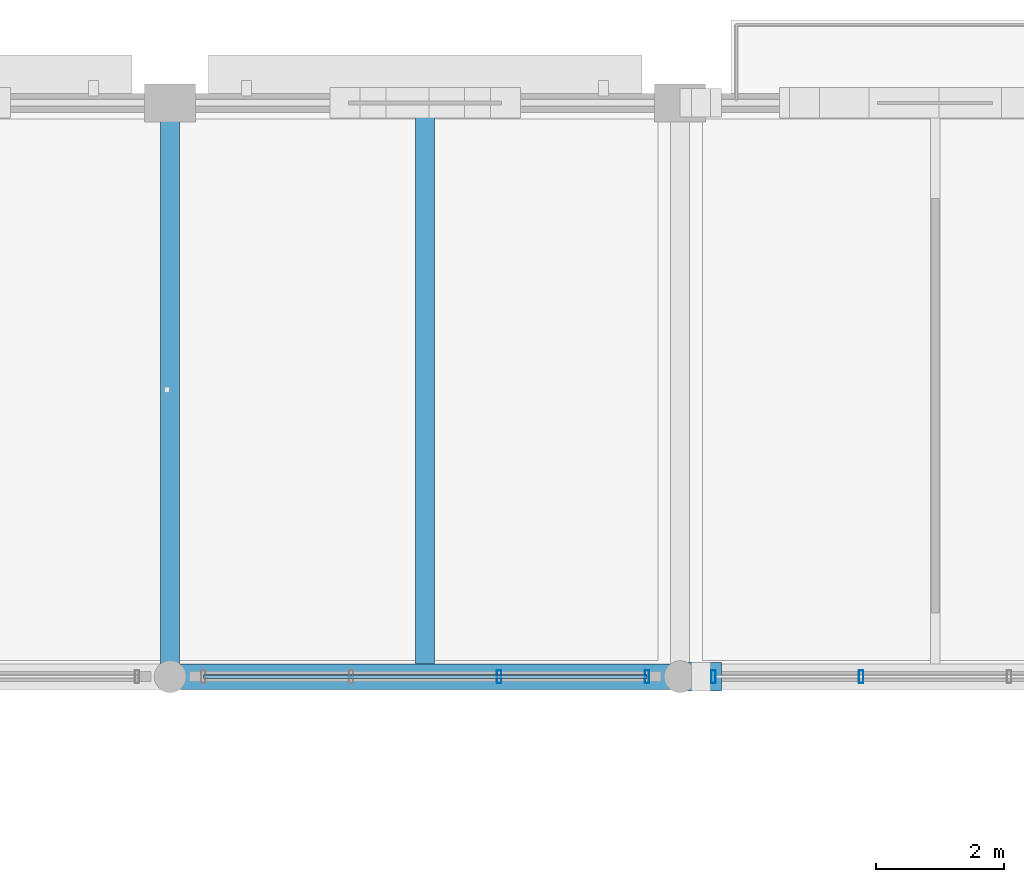
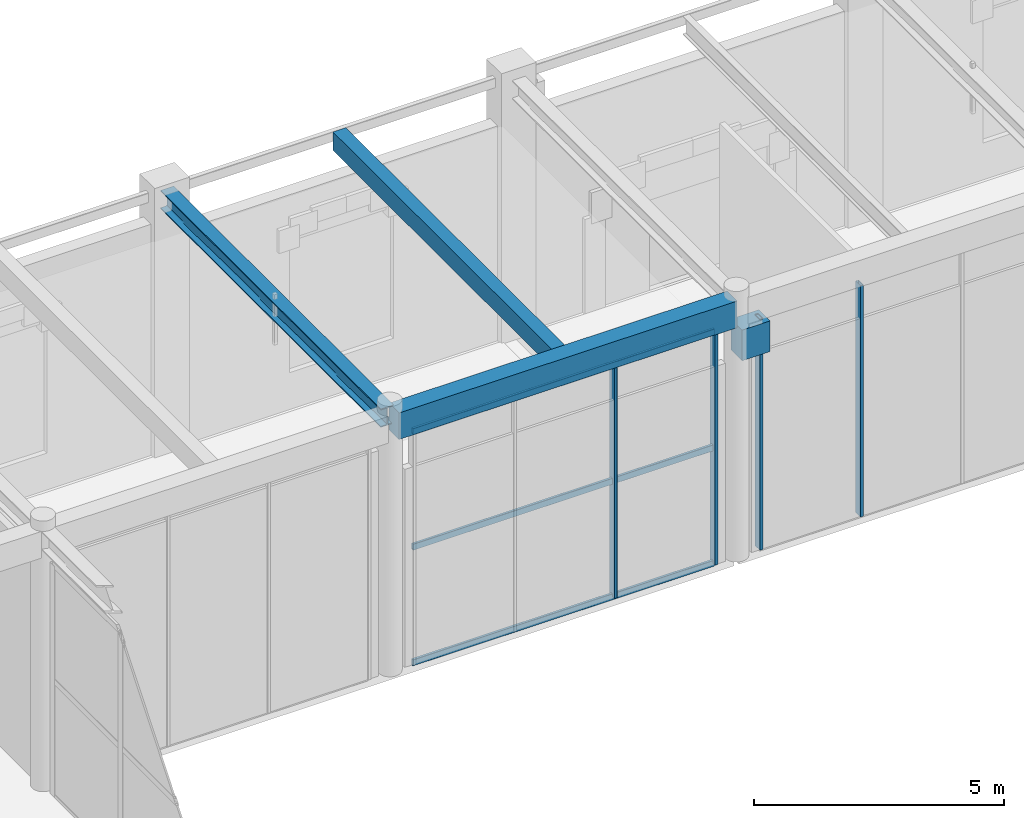
# One storey, part 74 of 163: 7 members, 4 beams, 2 elements without a shape of their own.
"""IFC4 building model written with IfcOpenShell, lengths in metres."""

from ifc_helpers import new_model, si_unit, direction, frame, origin, origin_2d, place, context, subcontext, project, spatial, rectangle, hollow_rectangle, i_section, extrude, material, material_profile, profile_set, type_object, element, aggregate, save


model = new_model("IFC4")

# Units and contexts
model_context = context("Model", 3, precision=1e-05, world=origin(), true_north=direction((0.0, 1.0)))
body_context = subcontext(model_context, "Body", "Model", "MODEL_VIEW")
ifc_project = project(units=[si_unit("LENGTHUNIT", "METRE"), si_unit("AREAUNIT", "SQUARE_METRE"), si_unit("VOLUMEUNIT", "CUBIC_METRE"), si_unit("PLANEANGLEUNIT", "RADIAN"), si_unit("MASSUNIT", "GRAM", prefix="KILO")], contexts=[model_context])

# Site, building, storey
site_placement = place(None, origin())
site = spatial("IfcSite", under=ifc_project, at=site_placement, CompositionType="ELEMENT")
building_placement = place(site_placement, origin())
building = spatial("IfcBuilding", under=site, at=building_placement, Name="Varnabhumi Central Station", CompositionType="ELEMENT")
storey_placement = place(building_placement, frame((0.0, 0.0, 9.60009765625)))
storey = spatial("IfcBuildingStorey", under=building, at=storey_placement, Name="L02", CompositionType="ELEMENT", Elevation=9.60009765625)

# Beams
ifc_material_1 = material(Name="Concrete M40", Category="concrete")
ifc_material_profile_1 = material_profile(ifc_material_1, rectangle(XDim=0.300048828125, YDim=0.449951171875, at=origin_2d()), Name="Concrete M40", Category="concrete")
ifc_profile_set_1 = profile_set([ifc_material_profile_1], Name="Concrete M40")
beam_type_1 = type_object("IfcBeamType", Name="BM-RC-300x450", PredefinedType="JOIST", material=ifc_profile_set_1)
beam_1_placement = place(storey_placement, frame((60.0, 107.199951171875, 6.125), z_axis=(0.0, 1.0, 0.0), x_axis=(-1.0, 0.0, 0.0)))
element("IfcBeam", 1, at=beam_1_placement, inside=storey, type_object=beam_type_1, Name="Secondary Joist L02-8/9:N-P", PredefinedType="JOIST", context=body_context, shape_type="SweptSolid", body=[
    extrude(rectangle(XDim=0.300048828125, YDim=0.449951171875, at=origin_2d()), origin(), (0.0, 0.0, 1.0), 8.739990234375),
])
ifc_material_profile_2 = material_profile(ifc_material_1, rectangle(XDim=0.39990234375, YDim=0.64990234375, at=origin_2d()), Name="Concrete M40", Category="concrete")
ifc_profile_set_2 = profile_set([ifc_material_profile_2], Name="Concrete M40")
beam_type_2 = type_object("IfcBeamType", Name="BM-RC-400x650", PredefinedType="BEAM", material=ifc_profile_set_2)
beam_2_placement = place(storey_placement, frame((56.10009765625, 107.0, 6.02490234375), z_axis=(1.0, 0.0, 0.0), x_axis=(0.0, 1.0, 0.0)))
element("IfcBeam", 2, at=beam_2_placement, inside=storey, type_object=beam_type_2, Name="Beam L02-N:8-9", PredefinedType="BEAM", context=body_context, shape_type="SweptSolid", body=[
    extrude(rectangle(XDim=0.39990234375, YDim=0.64990234375, at=origin_2d()), origin(), (0.0, 0.0, 1.0), 7.7998046875),
])
ifc_material_profile_3 = material_profile(ifc_material_1, rectangle(XDim=0.449951171875, YDim=0.75, at=origin_2d()), Name="Concrete M40", Category="concrete")
ifc_profile_set_3 = profile_set([ifc_material_profile_3], Name="Concrete M40")
beam_type_3 = type_object("IfcBeamType", Name="BM-RC-450x750", PredefinedType="BEAM", material=ifc_profile_set_3)
beam_3_placement = place(storey_placement, frame((64.0, 107.0, 5.244873046875), z_axis=(1.0, 0.0, 0.0), x_axis=(0.0, 1.0, 0.0)))
element("IfcBeam", 3, at=beam_3_placement, inside=storey, type_object=beam_type_3, Name="Movement Joint 650mm Corbel Seat L02-N-9", PredefinedType="BEAM", context=body_context, shape_type="SweptSolid", body=[
    extrude(rectangle(XDim=0.449951171875, YDim=0.75, at=origin_2d()), origin(), (0.0, 0.0, 1.0), 0.64990234375),
])
ifc_material_2 = material(Name="Structural steel E350", Category="steel")
ifc_material_profile_4 = material_profile(ifc_material_2, i_section(OverallWidth=0.300048828125, OverallDepth=0.449951171875, WebThickness=0.013916015625, FlangeThickness=0.02587890625, FilletRadius=0.027099609375, at=origin_2d()), Name="Structural steel E350", Category="steel")
ifc_profile_set_4 = profile_set([ifc_material_profile_4], Name="Structural steel E350")
beam_type_4 = type_object("IfcBeamType", Name="BM-STL-WPB450", PredefinedType="BEAM", material=ifc_profile_set_4)
beam_4_placement = place(storey_placement, frame((56.0, 107.10009765625, 6.125), z_axis=(0.0, 1.0, 0.0), x_axis=(-1.0, 0.0, 0.0)))
element("IfcBeam", 4, at=beam_4_placement, inside=storey, type_object=beam_type_4, Name="Beam L02-8:N-P", PredefinedType="BEAM", context=body_context, shape_type="SweptSolid", body=[
    extrude(i_section(OverallWidth=0.300048828125, OverallDepth=0.449951171875, WebThickness=0.013916015625, FlangeThickness=0.02587890625, FilletRadius=0.027099609375, at=origin_2d()), origin(), (0.0, 0.0, 1.0), 8.7998046875),
])

# Curtain wall, members
ifc_material_3 = material(Name="Anodised aluminium 6063-T6", Category="aluminium")
curtain_wall_type = type_object("IfcCurtainWallType", Name="CW-PATIO-LOGGIA-L2", PredefinedType="NOTDEFINED", material=ifc_material_3)
curtain_wall_1_placement = place(storey_placement, origin())
curtain_wall_1 = element("IfcCurtainWall", 5, at=curtain_wall_1_placement, inside=storey, type_object=curtain_wall_type, Name="Curtain Wall CW-NP2N2", PredefinedType="NOTDEFINED")
ifc_material_profile_5 = material_profile(ifc_material_3, hollow_rectangle(XDim=0.070068359375, YDim=0.199951171875, WallThickness=0.00439453125, InnerFilletRadius=0.00146484375, OuterFilletRadius=0.006103515625, at=origin_2d()), Name="Anodised aluminium 6063-T6", Category="aluminium")
ifc_profile_set_5 = profile_set([ifc_material_profile_5], Name="Anodised aluminium 6063-T6")
member_type_1 = type_object("IfcMemberType", Name="CW-MUL-200", PredefinedType="MULLION", material=ifc_profile_set_5)
member_1_placement = place(storey_placement, frame((61.159912109375, 107.0, 0.0), z_axis=(0.0, 0.0, 1.0), x_axis=(1.0, 0.0, 0.0)))
member_1 = element("IfcMember", 6, at=member_1_placement, type_object=member_type_1, Name="Curtain Wall Mullion CW-NP2N2-M3", PredefinedType="MULLION", context=body_context, shape_type="SweptSolid", body=[
    extrude(hollow_rectangle(XDim=0.070068359375, YDim=0.199951171875, WallThickness=0.00439453125, InnerFilletRadius=0.00146484375, OuterFilletRadius=0.006103515625, at=origin_2d()), origin(), (0.0, 0.0, 1.0), 5.639892578125),
])
member_2_placement = place(storey_placement, frame((63.47998046875, 107.0, 0.0), z_axis=(0.0, 0.0, 1.0), x_axis=(1.0, 0.0, 0.0)))
member_2 = element("IfcMember", 7, at=member_2_placement, type_object=member_type_1, Name="Curtain Wall Mullion CW-NP2N2-M4", PredefinedType="MULLION", context=body_context, shape_type="SweptSolid", body=[
    extrude(hollow_rectangle(XDim=0.070068359375, YDim=0.199951171875, WallThickness=0.00439453125, InnerFilletRadius=0.00146484375, OuterFilletRadius=0.006103515625, at=origin_2d()), origin(), (0.0, 0.0, 1.0), 5.639892578125),
])

curtain_wall_2_placement = place(storey_placement, origin())
curtain_wall_2 = element("IfcCurtainWall", 8, at=curtain_wall_2_placement, inside=storey, type_object=curtain_wall_type, Name="Curtain Wall CW-NP2N3", PredefinedType="NOTDEFINED")
member_3_placement = place(storey_placement, frame((64.52001953125, 107.0, 0.0), z_axis=(0.0, 0.0, 1.0), x_axis=(1.0, 0.0, 0.0)))
member_3 = element("IfcMember", 9, at=member_3_placement, type_object=member_type_1, Name="Curtain Wall Mullion CW-NP2N3-M1", PredefinedType="MULLION", context=body_context, shape_type="SweptSolid", body=[
    extrude(hollow_rectangle(XDim=0.070068359375, YDim=0.199951171875, WallThickness=0.00439453125, InnerFilletRadius=0.00146484375, OuterFilletRadius=0.006103515625, at=origin_2d()), origin(), (0.0, 0.0, 1.0), 5.639892578125),
])
member_4_placement = place(storey_placement, frame((66.840087890625, 107.0, 0.0), z_axis=(0.0, 0.0, 1.0), x_axis=(1.0, 0.0, 0.0)))
member_4 = element("IfcMember", 10, at=member_4_placement, type_object=member_type_1, Name="Curtain Wall Mullion CW-NP2N3-M2", PredefinedType="MULLION", context=body_context, shape_type="SweptSolid", body=[
    extrude(hollow_rectangle(XDim=0.070068359375, YDim=0.199951171875, WallThickness=0.00439453125, InnerFilletRadius=0.00146484375, OuterFilletRadius=0.006103515625, at=origin_2d()), origin(), (0.0, 0.0, 1.0), 5.639892578125),
])
aggregate(curtain_wall_2, [member_3, member_4])

# Member
ifc_material_profile_6 = material_profile(ifc_material_3, hollow_rectangle(XDim=0.06005859375, YDim=0.14990234375, WallThickness=0.00390625, InnerFilletRadius=0.001953125, OuterFilletRadius=0.006103515625, at=origin_2d()), Name="Anodised aluminium 6063-T6", Category="aluminium")
ifc_profile_set_6 = profile_set([ifc_material_profile_6], Name="Anodised aluminium 6063-T6")
member_type_2 = type_object("IfcMemberType", Name="CW-TR-150", PredefinedType="USERDEFINED", material=ifc_profile_set_6)
member_5_placement = place(storey_placement, frame((56.52001953125, 107.0, 0.0), z_axis=(1.0, 0.0, 0.0), x_axis=(0.0, 1.0, 0.0)))
member_5 = element("IfcMember", 11, at=member_5_placement, type_object=member_type_2, Name="Curtain Wall Transom CW-NP2N2-T1", ObjectType="TRANSOM", PredefinedType="USERDEFINED", context=body_context, shape_type="SweptSolid", body=[
    extrude(hollow_rectangle(XDim=0.06005859375, YDim=0.14990234375, WallThickness=0.00390625, InnerFilletRadius=0.001953125, OuterFilletRadius=0.006103515625, at=origin_2d()), origin(), (0.0, 0.0, 1.0), 6.9599609375),
])

member_6_placement = place(storey_placement, frame((56.52001953125, 107.0, 2.81982421875), z_axis=(1.0, 0.0, 0.0), x_axis=(0.0, 1.0, 0.0)))
member_6 = element("IfcMember", 12, at=member_6_placement, type_object=member_type_2, Name="Curtain Wall Transom CW-NP2N2-T2", ObjectType="TRANSOM", PredefinedType="USERDEFINED", context=body_context, shape_type="SweptSolid", body=[
    extrude(hollow_rectangle(XDim=0.06005859375, YDim=0.14990234375, WallThickness=0.00390625, InnerFilletRadius=0.001953125, OuterFilletRadius=0.006103515625, at=origin_2d()), origin(), (0.0, 0.0, 1.0), 6.9599609375),
])

member_7_placement = place(storey_placement, frame((56.52001953125, 107.0, 5.639892578125), z_axis=(1.0, 0.0, 0.0), x_axis=(0.0, 1.0, 0.0)))
member_7 = element("IfcMember", 13, at=member_7_placement, type_object=member_type_2, Name="Curtain Wall Transom CW-NP2N2-T3", ObjectType="TRANSOM", PredefinedType="USERDEFINED", context=body_context, shape_type="SweptSolid", body=[
    extrude(hollow_rectangle(XDim=0.06005859375, YDim=0.14990234375, WallThickness=0.00390625, InnerFilletRadius=0.001953125, OuterFilletRadius=0.006103515625, at=origin_2d()), origin(), (0.0, 0.0, 1.0), 6.9599609375),
])

aggregate(curtain_wall_1, [member_1, member_2, member_5, member_6, member_7])

save(model, "model.ifc")
